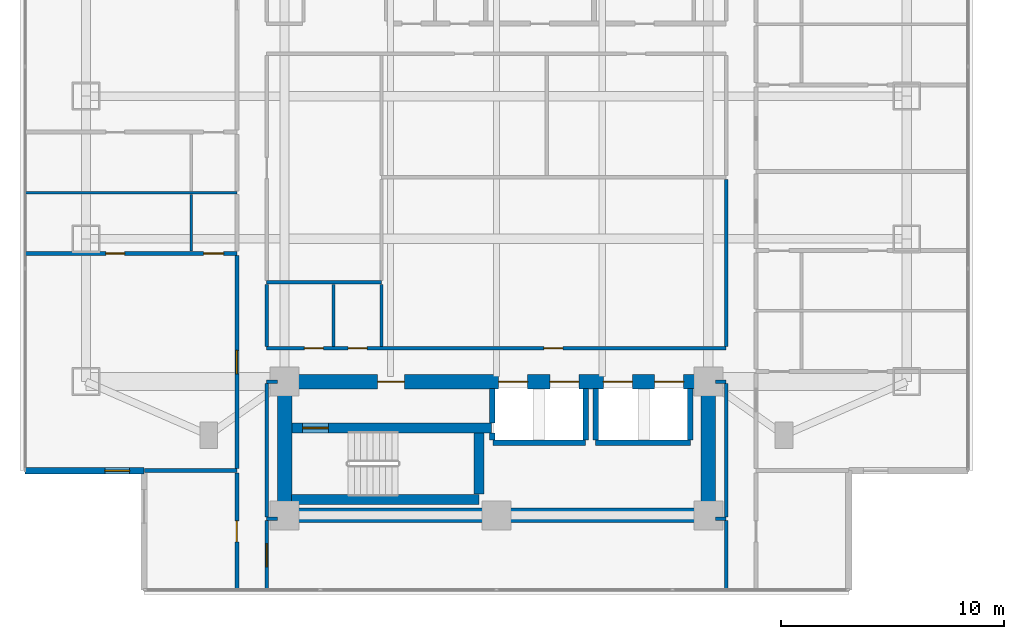
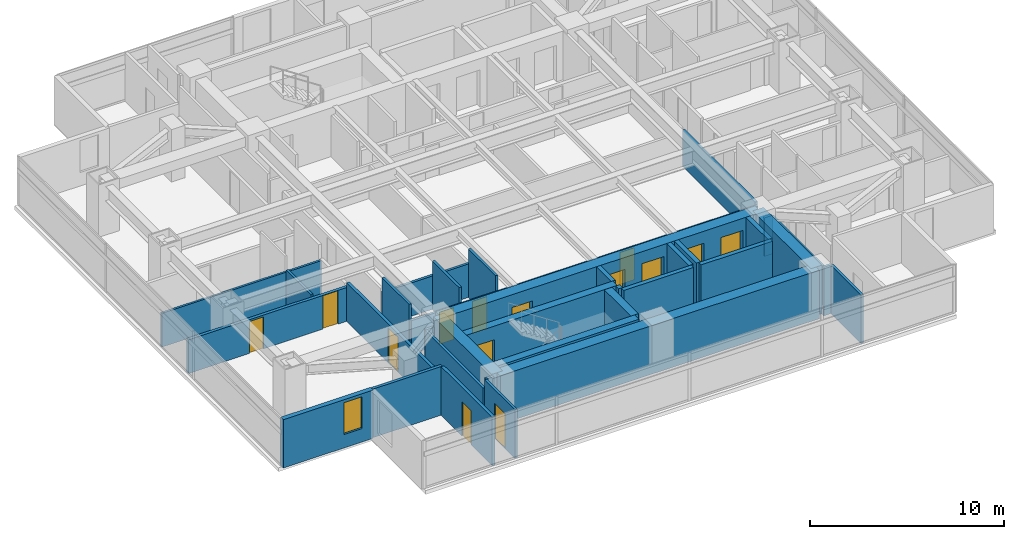
# One storey, part 13 of 25: 35 walls, 14 doors, 1 window, 15 openings.
"""IFC4 building model written with IfcOpenShell, lengths in metres."""

from ifc_helpers import new_model, si_unit, direction, frame, frame_2d, origin, place, context, subcontext, project, spatial, rectangle, extrude, material, layer, layer_set, type_object, element, fill, save


model = new_model("IFC4")

# Units and contexts
model_context = context("Model", 3, precision=1e-05, world=origin(), true_north=direction((0.0, 1.0)))
body_context = subcontext(model_context, "Body", "Model", "MODEL_VIEW")
ifc_project = project(units=[si_unit("LENGTHUNIT", "METRE"), si_unit("AREAUNIT", "SQUARE_METRE"), si_unit("VOLUMEUNIT", "CUBIC_METRE"), si_unit("PLANEANGLEUNIT", "RADIAN"), si_unit("MASSUNIT", "GRAM", prefix="KILO")], contexts=[model_context])

# Site, building, storey
site_placement = place(None, origin())
site = spatial("IfcSite", under=ifc_project, at=site_placement, CompositionType="ELEMENT")
building_placement = place(site_placement, origin())
building = spatial("IfcBuilding", under=site, at=building_placement, Name="Mirazonda Arch Towers", CompositionType="ELEMENT")
storey_placement = place(building_placement, frame((0.0, 0.0, 58.699951171875)))
storey = spatial("IfcBuildingStorey", under=building, at=storey_placement, Name="L16", CompositionType="ELEMENT", Elevation=58.699951171875)

# Wall
ifc_material_1 = material(Name="Concrete C50/60", Category="concrete")
ifc_layer_1 = layer(ifc_material_1, 0.449951171875, Name="WALL-CORE-450")
ifc_layer_set_1 = layer_set([ifc_layer_1], Name="Concrete C50/60")
wall_type_1 = type_object("IfcWallType", Name="WALL-CORE-450", PredefinedType="SHEAR", material=ifc_layer_set_1)
wall_1_placement = place(storey_placement, frame((11.320068359375, 13.1201171875, 0.0), z_axis=(0.0, 0.0, 1.0), x_axis=(1.0, 0.0, 0.0)))
element("IfcWall", 1, at=wall_1_placement, inside=storey, type_object=wall_type_1, Name="L16 Stair Core Shear Wall 003", PredefinedType="SHEAR", context=body_context, shape_type="SweptSolid", body=[
    extrude(rectangle(XDim=8.409912109375, YDim=0.449951171875, at=frame_2d((4.205078125, 0.0))), origin(), (0.0, 0.0, 1.0), 3.06005859375),
])

# Wall, opening, door
wall_2_placement = place(storey_placement, frame((11.320068359375, 16.320068359375, 0.0), z_axis=(0.0, 0.0, 1.0), x_axis=(1.0, 0.0, 0.0)))
wall_2 = element("IfcWall", 2, at=wall_2_placement, inside=storey, type_object=wall_type_1, Name="L16 Stair Core Shear Wall 008", PredefinedType="SHEAR", context=body_context, shape_type="SweptSolid", body=[
    extrude(rectangle(XDim=8.9599609375, YDim=0.449951171875, at=frame_2d((4.47998046875, 0.0))), origin(), (0.0, 0.0, 1.0), 3.06005859375),
])
opening_1_placement = place(wall_2_placement, frame((0.4951171875, 0.0, 0.0)))
opening_1 = element("IfcOpeningElement", 3, at=opening_1_placement, cuts=wall_2, Name="Opening DR-135", PredefinedType="OPENING", context=body_context, shape_type="SweptSolid", body=[
    extrude(rectangle(XDim=1.14990234375, YDim=2.199951171875, at=frame_2d((0.574951171875, 1.10009765625))), frame((0.0, 0.23486328125, 0.0), z_axis=(0.0, -1.0, 0.0), x_axis=(1.0, 0.0, 0.0)), (0.0, 0.0, 1.0), 0.469970703125),
])
ifc_material_2 = material(Name="Architectural Brushed Steel S355", Category="steel")
door_type_1 = type_object("IfcDoorType", Name="DOOR-STAIR-FD90-1150", OperationType="NOTDEFINED", PredefinedType="DOOR", material=ifc_material_2)
door_1_placement = place(opening_1_placement, origin())
door_1 = element("IfcDoor", 4, at=door_1_placement, inside=storey, type_object=door_type_1, Name="L16 Protected Exit Stair South Door", OperationType="SINGLE_SWING_RIGHT", OverallHeight=2.199951171875, OverallWidth=1.14990234375, PredefinedType="DOOR", context=body_context, shape_type="SweptSolid", body=[
    extrude(rectangle(XDim=1.14990234375, YDim=2.199951171875, at=frame_2d((0.574951171875, 1.10009765625))), frame((0.0, 0.02490234375, 0.0), z_axis=(0.0, -1.0, 0.0), x_axis=(1.0, 0.0, 0.0)), (0.0, 0.0, 1.0), 0.050048828125),
])
fill(opening_1, door_1)

# Walls
wall_3_placement = place(storey_placement, frame((19.72998046875, 13.35498046875, 0.0), z_axis=(0.0, 0.0, 1.0), x_axis=(0.0, 1.0, 0.0)))
element("IfcWall", 5, at=wall_3_placement, inside=storey, type_object=wall_type_1, Name="L16 Stair Core Shear Wall 083", PredefinedType="SHEAR", context=body_context, shape_type="SweptSolid", body=[
    extrude(rectangle(XDim=2.72998046875, YDim=0.449951171875, at=frame_2d((1.364990234375, 0.0))), origin(), (0.0, 0.0, 1.0), 3.06005859375),
])
ifc_material_3 = material(Name="Concrete C60/75", Category="concrete")
ifc_layer_2 = layer(ifc_material_3, 0.64990234375, Name="WALL-CORE-650")
ifc_layer_set_2 = layer_set([ifc_layer_2], Name="Concrete C60/75")
wall_type_2 = type_object("IfcWallType", Name="WALL-CORE-650", PredefinedType="SHEAR", material=ifc_layer_set_2)
wall_4_placement = place(storey_placement, frame((11.0, 12.39990234375, 0.0), z_axis=(0.0, 0.0, 1.0), x_axis=(1.0, 0.0, 0.0)))
element("IfcWall", 6, at=wall_4_placement, inside=storey, type_object=wall_type_2, Name="L16 T1S-S Core Shear Wall", PredefinedType="SHEAR", context=body_context, shape_type="SweptSolid", body=[
    extrude(rectangle(XDim=19.0, YDim=0.64990234375, at=frame_2d((9.5, 0.0))), origin(), (0.0, 0.0, 1.0), 3.06005859375),
])
for number, where, z_axis, x_axis, name in (
    (7, (11.0, 12.39990234375, 0.0), (0.0, 0.0, 1.0), (0.0, 1.0, 0.0), "L16 T1S-W Core Shear Wall"),
    (8, (30.0, 12.39990234375, 0.0), (0.0, 0.0, 1.0), (0.0, 1.0, 0.0), "L16 T1S-E Core Shear Wall"),
):
    element("IfcWall", number, at=place(storey_placement, frame(where, z_axis=z_axis, x_axis=x_axis)), inside=storey, type_object=wall_type_2, Name=name, PredefinedType="SHEAR", context=body_context, shape_type="SweptSolid", body=[
        extrude(rectangle(XDim=6.0, YDim=0.64990234375, at=frame_2d((3.0, 0.0))), origin(), (0.0, 0.0, 1.0), 3.06005859375),
    ])

# Wall, openings, doors
wall_5_placement = place(storey_placement, frame((11.0, 18.39990234375, 0.0), z_axis=(0.0, 0.0, 1.0), x_axis=(1.0, 0.0, 0.0)))
wall_5 = element("IfcWall", 9, at=wall_5_placement, inside=storey, type_object=wall_type_2, Name="L16 T1S-N Core Shear Wall", PredefinedType="SHEAR", context=body_context, shape_type="SweptSolid", body=[
    extrude(rectangle(XDim=19.0, YDim=0.64990234375, at=frame_2d((9.5, 0.0))), origin(), (0.0, 0.0, 1.0), 3.06005859375),
])
opening_2_placement = place(wall_5_placement, frame((4.175048828125, 0.0, 0.0)))
opening_2 = element("IfcOpeningElement", 10, at=opening_2_placement, cuts=wall_5, Name="Opening DR-117", PredefinedType="OPENING", context=body_context, shape_type="SweptSolid", body=[
    extrude(rectangle(XDim=1.199951171875, YDim=2.25, at=frame_2d((0.60009765625, 1.125))), frame((0.0, 0.3349609375, 0.0), z_axis=(0.0, -1.0, 0.0), x_axis=(1.0, 0.0, 0.0)), (0.0, 0.0, 1.0), 0.669921875),
])
opening_3_placement = place(wall_5_placement, frame((9.60009765625, 0.0, 0.0)))
opening_3 = element("IfcOpeningElement", 11, at=opening_3_placement, cuts=wall_5, Name="Opening LD-111", PredefinedType="OPENING", context=body_context, shape_type="SweptSolid", body=[
    extrude(rectangle(XDim=1.300048828125, YDim=2.300048828125, at=frame_2d((0.64990234375, 1.14990234375))), frame((0.0, 0.3349609375, 0.0), z_axis=(0.0, -1.0, 0.0), x_axis=(1.0, 0.0, 0.0)), (0.0, 0.0, 1.0), 0.669921875),
])
opening_4_placement = place(wall_5_placement, frame((11.89990234375, 0.0, 0.0)))
opening_4 = element("IfcOpeningElement", 12, at=opening_4_placement, cuts=wall_5, Name="Opening LD-111", PredefinedType="OPENING", context=body_context, shape_type="SweptSolid", body=[
    extrude(rectangle(XDim=1.300048828125, YDim=2.300048828125, at=frame_2d((0.64990234375, 1.14990234375))), frame((0.0, 0.3349609375, 0.0), z_axis=(0.0, -1.0, 0.0), x_axis=(1.0, 0.0, 0.0)), (0.0, 0.0, 1.0), 0.669921875),
])
opening_5_placement = place(wall_5_placement, frame((14.300048828125, 0.0, 0.0)))
opening_5 = element("IfcOpeningElement", 13, at=opening_5_placement, cuts=wall_5, Name="Opening LD-111", PredefinedType="OPENING", context=body_context, shape_type="SweptSolid", body=[
    extrude(rectangle(XDim=1.300048828125, YDim=2.300048828125, at=frame_2d((0.64990234375, 1.14990234375))), frame((0.0, 0.3349609375, 0.0), z_axis=(0.0, -1.0, 0.0), x_axis=(1.0, 0.0, 0.0)), (0.0, 0.0, 1.0), 0.669921875),
])
opening_6_placement = place(wall_5_placement, frame((16.60009765625, 0.0, 0.0)))
opening_6 = element("IfcOpeningElement", 14, at=opening_6_placement, cuts=wall_5, Name="Opening LD-111", PredefinedType="OPENING", context=body_context, shape_type="SweptSolid", body=[
    extrude(rectangle(XDim=1.300048828125, YDim=2.300048828125, at=frame_2d((0.64990234375, 1.14990234375))), frame((0.0, 0.3349609375, 0.0), z_axis=(0.0, -1.0, 0.0), x_axis=(1.0, 0.0, 0.0)), (0.0, 0.0, 1.0), 0.669921875),
])
door_type_2 = type_object("IfcDoorType", Name="DOOR-FFL-FD90-1200", OperationType="NOTDEFINED", PredefinedType="DOOR", material=ifc_material_2)
door_2_placement = place(opening_2_placement, origin())
door_2 = element("IfcDoor", 15, at=door_2_placement, inside=storey, type_object=door_type_2, Name="L16 South Core Stair & Lift Lobby Door", OperationType="SINGLE_SWING_LEFT", OverallHeight=2.25, OverallWidth=1.199951171875, PredefinedType="DOOR", context=body_context, shape_type="SweptSolid", body=[
    extrude(rectangle(XDim=1.199951171875, YDim=2.25, at=frame_2d((0.60009765625, 1.125))), frame((0.0, 0.02490234375, 0.0), z_axis=(0.0, -1.0, 0.0), x_axis=(1.0, 0.0, 0.0)), (0.0, 0.0, 1.0), 0.050048828125),
])
fill(opening_2, door_2)
door_type_3 = type_object("IfcDoorType", Name="DOOR-LIFT-LAND-1300", OperationType="NOTDEFINED", PredefinedType="DOOR", material=ifc_material_2)
door_3_placement = place(opening_3_placement, origin())
door_3 = element("IfcDoor", 16, at=door_3_placement, inside=storey, type_object=door_type_3, Name="L16 Lift Landing Sliding Door PL-T1M1", OperationType="DOUBLE_DOOR_SLIDING", OverallHeight=2.300048828125, OverallWidth=1.300048828125, PredefinedType="DOOR", context=body_context, shape_type="SweptSolid", body=[
    extrude(rectangle(XDim=1.300048828125, YDim=2.300048828125, at=frame_2d((0.64990234375, 1.14990234375))), frame((0.0, 0.02490234375, 0.0), z_axis=(0.0, -1.0, 0.0), x_axis=(1.0, 0.0, 0.0)), (0.0, 0.0, 1.0), 0.050048828125),
])
fill(opening_3, door_3)
door_4_placement = place(opening_4_placement, origin())
door_4 = element("IfcDoor", 17, at=door_4_placement, inside=storey, type_object=door_type_3, Name="L16 Lift Landing Sliding Door PL-T1M2", OperationType="DOUBLE_DOOR_SLIDING", OverallHeight=2.300048828125, OverallWidth=1.300048828125, PredefinedType="DOOR", context=body_context, shape_type="SweptSolid", body=[
    extrude(rectangle(XDim=1.300048828125, YDim=2.300048828125, at=frame_2d((0.64990234375, 1.14990234375))), frame((0.0, 0.02490234375, 0.0), z_axis=(0.0, -1.0, 0.0), x_axis=(1.0, 0.0, 0.0)), (0.0, 0.0, 1.0), 0.050048828125),
])
fill(opening_4, door_4)
door_5_placement = place(opening_5_placement, origin())
door_5 = element("IfcDoor", 18, at=door_5_placement, inside=storey, type_object=door_type_3, Name="L16 Lift Landing Sliding Door PL-T1H1", OperationType="DOUBLE_DOOR_SLIDING", OverallHeight=2.300048828125, OverallWidth=1.300048828125, PredefinedType="DOOR", context=body_context, shape_type="SweptSolid", body=[
    extrude(rectangle(XDim=1.300048828125, YDim=2.300048828125, at=frame_2d((0.64990234375, 1.14990234375))), frame((0.0, 0.02490234375, 0.0), z_axis=(0.0, -1.0, 0.0), x_axis=(1.0, 0.0, 0.0)), (0.0, 0.0, 1.0), 0.050048828125),
])
fill(opening_5, door_5)
door_6_placement = place(opening_6_placement, origin())
door_6 = element("IfcDoor", 19, at=door_6_placement, inside=storey, type_object=door_type_3, Name="L16 Lift Landing Sliding Door PL-T1H2", OperationType="DOUBLE_DOOR_SLIDING", OverallHeight=2.300048828125, OverallWidth=1.300048828125, PredefinedType="DOOR", context=body_context, shape_type="SweptSolid", body=[
    extrude(rectangle(XDim=1.300048828125, YDim=2.300048828125, at=frame_2d((0.64990234375, 1.14990234375))), frame((0.0, 0.02490234375, 0.0), z_axis=(0.0, -1.0, 0.0), x_axis=(1.0, 0.0, 0.0)), (0.0, 0.0, 1.0), 0.050048828125),
])
fill(opening_6, door_6)

# Wall, opening, window
ifc_material_4 = material(Name="Precast Concrete C40/50", Category="concrete")
ifc_layer_3 = layer(ifc_material_4, 0.280029296875, Name="WALL-EXT-WALL-280")
ifc_layer_set_3 = layer_set([ifc_layer_3], Name="Precast Concrete C40/50")
wall_type_3 = type_object("IfcWallType", Name="WALL-EXT-WALL-280", PredefinedType="SOLIDWALL", material=ifc_layer_set_3)
wall_6_placement = place(storey_placement, frame((-0.639892578125, 14.404052734375, 0.0), z_axis=(0.0, 0.0, 1.0), x_axis=(1.0, 0.0, 0.0)))
wall_6 = element("IfcWall", 20, at=wall_6_placement, inside=storey, type_object=wall_type_3, Name="L16 T1 Corner Notch Return Wall WL-L16-T1-CSW2", PredefinedType="SOLIDWALL", context=body_context, shape_type="SweptSolid", body=[
    extrude(rectangle(XDim=5.33984375, YDim=0.280029296875, at=frame_2d((2.669921875, 0.0))), origin(), (0.0, 0.0, 1.0), 3.0400390625),
])
opening_7_placement = place(wall_6_placement, frame((3.590087890625, 0.0, 0.85009765625)))
opening_7 = element("IfcOpeningElement", 21, at=opening_7_placement, cuts=wall_6, Name="Opening WN-108", PredefinedType="OPENING", context=body_context, shape_type="SweptSolid", body=[
    extrude(rectangle(XDim=1.10009765625, YDim=2.0, at=frame_2d((0.550048828125, 1.0))), frame((0.0, 0.14990234375, 0.0), z_axis=(0.0, -1.0, 0.0), x_axis=(1.0, 0.0, 0.0)), (0.0, 0.0, 1.0), 0.300048828125),
])
ifc_material_5 = material(Name="Insulated Low-E Solar Glass", Category="glass")
window_type = type_object("IfcWindowType", Name="WIN-NOTCH-1100x2000", PartitioningType="SINGLE_PANEL", PredefinedType="WINDOW", material=ifc_material_5)
window_placement = place(opening_7_placement, origin())
window = element("IfcWindow", 22, at=window_placement, inside=storey, type_object=window_type, Name="L16 Punched Facade Window WN-L16-T1-CSW2", OverallHeight=2.0, OverallWidth=1.10009765625, PartitioningType="SINGLE_PANEL", PredefinedType="WINDOW", context=body_context, shape_type="SweptSolid", body=[
    extrude(rectangle(XDim=1.10009765625, YDim=2.0, at=frame_2d((0.550048828125, 1.0))), frame((0.0, 0.030029296875, 0.0), z_axis=(0.0, -1.0, 0.0), x_axis=(1.0, 0.0, 0.0)), (0.0, 0.0, 1.0), 0.06005859375),
])
fill(opening_7, window)

# Walls
ifc_material_6 = material(Name="Fire-Rated Gypsum Stud Partition")
ifc_layer_4 = layer(ifc_material_6, 0.14990234375, Name="WALL-PART-CORR-150")
ifc_layer_set_4 = layer_set([ifc_layer_4], Name="Fire-Rated Gypsum Stud Partition")
wall_type_4 = type_object("IfcWallType", Name="WALL-PART-CORR-150", PredefinedType="PARTITIONING", material=ifc_layer_set_4)
for number, where, z_axis, x_axis, name in (
    (23, (10.199951171875, 12.25, 0.0), (0.0, 0.0, 1.0), (1.0, 0.0, 0.0), "L16 Interior Partition 001"),
    (24, (30.320068359375, 12.25, 0.0), (0.0, 0.0, 1.0), (1.0, 0.0, 0.0), "L16 Interior Partition 002"),
):
    element("IfcWall", number, at=place(storey_placement, frame(where, z_axis=z_axis, x_axis=x_axis)), inside=storey, type_object=wall_type_4, Name=name, PredefinedType="PARTITIONING", context=body_context, shape_type="SweptSolid", body=[
        extrude(rectangle(XDim=0.47998046875, YDim=0.14990234375, at=frame_2d((0.239990234375, 0.0))), origin(), (0.0, 0.0, 1.0), 3.06005859375),
    ])
for number, where, z_axis, x_axis, name in (
    (25, (10.199951171875, 18.39990234375, 0.0), (0.0, 0.0, 1.0), (1.0, 0.0, 0.0), "L16 Interior Partition 012"),
    (26, (30.320068359375, 18.39990234375, 0.0), (0.0, 0.0, 1.0), (1.0, 0.0, 0.0), "L16 Interior Partition 013"),
):
    element("IfcWall", number, at=place(storey_placement, frame(where, z_axis=z_axis, x_axis=x_axis)), inside=storey, type_object=wall_type_4, Name=name, PredefinedType="PARTITIONING", context=body_context, shape_type="SweptSolid", body=[
        extrude(rectangle(XDim=0.47998046875, YDim=0.14990234375, at=frame_2d((0.239990234375, 0.0))), origin(), (0.0, 0.0, 1.0), 2.43603515625),
    ])

# Wall, openings, doors
wall_7_placement = place(storey_placement, frame((10.199951171875, 19.89990234375, 0.0), z_axis=(0.0, 0.0, 1.0), x_axis=(1.0, 0.0, 0.0)))
wall_7 = element("IfcWall", 27, at=wall_7_placement, inside=storey, type_object=wall_type_4, Name="L16 Interior Partition 016", PredefinedType="PARTITIONING", context=body_context, shape_type="SweptSolid", body=[
    extrude(rectangle(XDim=20.60009765625, YDim=0.14990234375, at=frame_2d((10.300048828125, 0.0))), origin(), (0.0, 0.0, 1.0), 2.10400390625),
])
opening_8_placement = place(wall_7_placement, frame((1.695068359375, 0.0, 0.0)))
opening_8 = element("IfcOpeningElement", 28, at=opening_8_placement, cuts=wall_7, Name="Opening DR-128", PredefinedType="OPENING", context=body_context, shape_type="SweptSolid", body=[
    extrude(rectangle(XDim=0.85009765625, YDim=2.010009765625, at=frame_2d((0.425048828125, 1.0048828125))), frame((0.0, 0.0849609375, 0.0), z_axis=(0.0, -1.0, 0.0), x_axis=(1.0, 0.0, 0.0)), (0.0, 0.0, 1.0), 0.169921875),
])
opening_9_placement = place(wall_7_placement, frame((3.64990234375, 0.0, 0.0)))
opening_9 = element("IfcOpeningElement", 29, at=opening_9_placement, cuts=wall_7, Name="Opening DR-128", PredefinedType="OPENING", context=body_context, shape_type="SweptSolid", body=[
    extrude(rectangle(XDim=0.85009765625, YDim=2.010009765625, at=frame_2d((0.425048828125, 1.0048828125))), frame((0.0, 0.0849609375, 0.0), z_axis=(0.0, -1.0, 0.0), x_axis=(1.0, 0.0, 0.0)), (0.0, 0.0, 1.0), 0.169921875),
])
opening_10_placement = place(wall_7_placement, frame((12.429931640625, 0.0, 0.0)))
opening_10 = element("IfcOpeningElement", 30, at=opening_10_placement, cuts=wall_7, Name="Opening DR-128", PredefinedType="OPENING", context=body_context, shape_type="SweptSolid", body=[
    extrude(rectangle(XDim=0.85009765625, YDim=2.010009765625, at=frame_2d((0.425048828125, 1.0048828125))), frame((0.0, 0.0849609375, 0.0), z_axis=(0.0, -1.0, 0.0), x_axis=(1.0, 0.0, 0.0)), (0.0, 0.0, 1.0), 0.169921875),
])
door_type_4 = type_object("IfcDoorType", Name="DOOR-RISER-FD60-850", OperationType="NOTDEFINED", PredefinedType="DOOR", material=ifc_material_2)
door_7_placement = place(opening_8_placement, origin())
door_7 = element("IfcDoor", 31, at=door_7_placement, inside=storey, type_object=door_type_4, Name="L16 Common Accessible WC Door", OperationType="SINGLE_SWING_LEFT", OverallHeight=2.010009765625, OverallWidth=0.85009765625, PredefinedType="DOOR", context=body_context, shape_type="SweptSolid", body=[
    extrude(rectangle(XDim=0.85009765625, YDim=2.010009765625, at=frame_2d((0.425048828125, 1.0048828125))), frame((0.0, 0.02490234375, 0.0), z_axis=(0.0, -1.0, 0.0), x_axis=(1.0, 0.0, 0.0)), (0.0, 0.0, 1.0), 0.050048828125),
])
fill(opening_8, door_7)
door_8_placement = place(opening_9_placement, origin())
door_8 = element("IfcDoor", 32, at=door_8_placement, inside=storey, type_object=door_type_4, Name="L16 L16 West Courtyard Study Door", OperationType="SINGLE_SWING_RIGHT", OverallHeight=2.010009765625, OverallWidth=0.85009765625, PredefinedType="DOOR", context=body_context, shape_type="SweptSolid", body=[
    extrude(rectangle(XDim=0.85009765625, YDim=2.010009765625, at=frame_2d((0.425048828125, 1.0048828125))), frame((0.0, 0.02490234375, 0.0), z_axis=(0.0, -1.0, 0.0), x_axis=(1.0, 0.0, 0.0)), (0.0, 0.0, 1.0), 0.050048828125),
])
fill(opening_9, door_8)
door_9_placement = place(opening_10_placement, origin())
door_9 = element("IfcDoor", 33, at=door_9_placement, inside=storey, type_object=door_type_4, Name="L16 Executive Club Lounge Door", OperationType="SINGLE_SWING_RIGHT", OverallHeight=2.010009765625, OverallWidth=0.85009765625, PredefinedType="DOOR", context=body_context, shape_type="SweptSolid", body=[
    extrude(rectangle(XDim=0.85009765625, YDim=2.010009765625, at=frame_2d((0.425048828125, 1.0048828125))), frame((0.0, 0.02490234375, 0.0), z_axis=(0.0, -1.0, 0.0), x_axis=(1.0, 0.0, 0.0)), (0.0, 0.0, 1.0), 0.050048828125),
])
fill(opening_10, door_9)

# Wall
wall_8_placement = place(storey_placement, frame((10.199951171875, 22.85009765625, 0.0), z_axis=(0.0, 0.0, 1.0), x_axis=(1.0, 0.0, 0.0)))
element("IfcWall", 34, at=wall_8_placement, inside=storey, type_object=wall_type_4, Name="L16 Interior Partition 023", PredefinedType="PARTITIONING", context=body_context, shape_type="SweptSolid", body=[
    extrude(rectangle(XDim=5.150146484375, YDim=0.14990234375, at=frame_2d((2.5751953125, 0.0))), origin(), (0.0, 0.0, 1.0), 2.10400390625),
])

# Wall, opening, door
wall_9_placement = place(storey_placement, frame((10.199951171875, 9.06396484375, 0.0), z_axis=(0.0, 0.0, 1.0), x_axis=(0.0, 1.0, 0.0)))
wall_9 = element("IfcWall", 35, at=wall_9_placement, inside=storey, type_object=wall_type_4, Name="L16 Interior Partition 069", PredefinedType="PARTITIONING", context=body_context, shape_type="SweptSolid", body=[
    extrude(rectangle(XDim=3.10107421875, YDim=0.14990234375, at=frame_2d((1.550537109375, 0.0))), origin(), (0.0, 0.0, 1.0), 3.06005859375),
])
opening_11_placement = place(wall_9_placement, frame((1.025390625, 0.0, 0.0)))
opening_11 = element("IfcOpeningElement", 36, at=opening_11_placement, cuts=wall_9, Name="Opening DR-121", PredefinedType="OPENING", context=body_context, shape_type="SweptSolid", body=[
    extrude(rectangle(XDim=1.050048828125, YDim=2.199951171875, at=frame_2d((0.52490234375, 1.10009765625))), frame((0.0, 0.0849609375, 0.0), z_axis=(0.0, -1.0, 0.0), x_axis=(1.0, 0.0, 0.0)), (0.0, 0.0, 1.0), 0.169921875),
])
door_type_5 = type_object("IfcDoorType", Name="DOOR-SUITE-FD60-1050", OperationType="NOTDEFINED", PredefinedType="DOOR", material=ifc_material_2)
door_10_placement = place(opening_11_placement, origin())
door_10 = element("IfcDoor", 37, at=door_10_placement, inside=storey, type_object=door_type_5, Name="L16 South Horizon Lounge Gallery Door", OperationType="SINGLE_SWING_LEFT", OverallHeight=2.199951171875, OverallWidth=1.050048828125, PredefinedType="DOOR", context=body_context, shape_type="SweptSolid", body=[
    extrude(rectangle(XDim=1.050048828125, YDim=2.199951171875, at=frame_2d((0.52490234375, 1.10009765625))), frame((0.0, 0.02490234375, 0.0), z_axis=(0.0, -1.0, 0.0), x_axis=(1.0, 0.0, 0.0)), (0.0, 0.0, 1.0), 0.050048828125),
])
fill(opening_11, door_10)

# Walls
wall_10_placement = place(storey_placement, frame((10.199951171875, 12.3349609375, 0.0), z_axis=(0.0, 0.0, 1.0), x_axis=(0.0, 1.0, 0.0)))
element("IfcWall", 38, at=wall_10_placement, inside=storey, type_object=wall_type_4, Name="L16 Interior Partition 070", PredefinedType="PARTITIONING", context=body_context, shape_type="SweptSolid", body=[
    extrude(rectangle(XDim=5.97998046875, YDim=0.14990234375, at=frame_2d((2.989990234375, 0.0))), origin(), (0.0, 0.0, 1.0), 2.43603515625),
])
for number, where, z_axis, x_axis, name in (
    (39, (10.206787109375, 19.985107421875, 0.0), (0.0, 0.0, 1.0), (0.0, 1.0, 0.0), "L16 Interior Partition 071"),
    (40, (13.199951171875, 19.985107421875, 0.0), (0.0, 0.0, 1.0), (0.0, 1.0, 0.0), "L16 Interior Partition 076"),
    (41, (15.35009765625, 19.985107421875, 0.0), (0.0, 0.0, 1.0), (0.0, 1.0, 0.0), "L16 Interior Partition 077"),
):
    element("IfcWall", number, at=place(storey_placement, frame(where, z_axis=z_axis, x_axis=x_axis)), inside=storey, type_object=wall_type_4, Name=name, PredefinedType="PARTITIONING", context=body_context, shape_type="SweptSolid", body=[
        extrude(rectangle(XDim=2.77978515625, YDim=0.14990234375, at=frame_2d((1.389892578125, 0.0))), origin(), (0.0, 0.0, 1.0), 3.06005859375),
    ])
wall_11_placement = place(storey_placement, frame((30.800048828125, 9.06396484375, 0.0), z_axis=(0.0, 0.0, 1.0), x_axis=(0.0, 1.0, 0.0)))
element("IfcWall", 42, at=wall_11_placement, inside=storey, type_object=wall_type_4, Name="L16 Interior Partition 097", PredefinedType="PARTITIONING", context=body_context, shape_type="SweptSolid", body=[
    extrude(rectangle(XDim=3.10107421875, YDim=0.14990234375, at=frame_2d((1.550537109375, 0.0))), origin(), (0.0, 0.0, 1.0), 3.06005859375),
])
wall_12_placement = place(storey_placement, frame((30.800048828125, 12.3349609375, 0.0), z_axis=(0.0, 0.0, 1.0), x_axis=(0.0, 1.0, 0.0)))
element("IfcWall", 43, at=wall_12_placement, inside=storey, type_object=wall_type_4, Name="L16 Interior Partition 098", PredefinedType="PARTITIONING", context=body_context, shape_type="SweptSolid", body=[
    extrude(rectangle(XDim=5.97998046875, YDim=0.14990234375, at=frame_2d((2.989990234375, 0.0))), origin(), (0.0, 0.0, 1.0), 2.43603515625),
])
wall_13_placement = place(storey_placement, frame((30.800048828125, 19.985107421875, 0.0), z_axis=(0.0, 0.0, 1.0), x_axis=(0.0, 1.0, 0.0)))
element("IfcWall", 44, at=wall_13_placement, inside=storey, type_object=wall_type_4, Name="L16 Interior Partition 099", PredefinedType="PARTITIONING", context=body_context, shape_type="SweptSolid", body=[
    extrude(rectangle(XDim=7.48583984375, YDim=0.14990234375, at=frame_2d((3.742919921875, 0.0))), origin(), (0.0, 0.0, 1.0), 2.279052734375),
])
ifc_material_7 = material(Name="Fire-Rated Gypsum Twin-Stud Assembly")
ifc_layer_5 = layer(ifc_material_7, 0.179931640625, Name="WALL-PART-DEMISE-180")
ifc_layer_set_5 = layer_set([ifc_layer_5], Name="Fire-Rated Gypsum Twin-Stud Assembly")
wall_type_5 = type_object("IfcWallType", Name="WALL-PART-DEMISE-180", PredefinedType="PARTITIONING", material=ifc_layer_set_5)
wall_14_placement = place(storey_placement, frame((4.719970703125, 14.404052734375, 0.0), z_axis=(0.0, 0.0, 1.0), x_axis=(1.0, 0.0, 0.0)))
element("IfcWall", 45, at=wall_14_placement, inside=storey, type_object=wall_type_5, Name="L16 Interior Partition 004", PredefinedType="PARTITIONING", context=body_context, shape_type="SweptSolid", body=[
    extrude(rectangle(XDim=4.14013671875, YDim=0.179931640625, at=frame_2d((2.070068359375, 0.0))), origin(), (0.0, 0.0, 1.0), 3.06005859375),
])

# Wall, openings, doors
wall_15_placement = place(storey_placement, frame((-0.639892578125, 24.14599609375, 0.0), z_axis=(0.0, 0.0, 1.0), x_axis=(1.0, 0.0, 0.0)))
wall_15 = element("IfcWall", 46, at=wall_15_placement, inside=storey, type_object=wall_type_5, Name="L16 Interior Partition 025", PredefinedType="PARTITIONING", context=body_context, shape_type="SweptSolid", body=[
    extrude(rectangle(XDim=9.5, YDim=0.179931640625, at=frame_2d((4.75, 0.0))), origin(), (0.0, 0.0, 1.0), 2.125),
])
opening_12_placement = place(wall_15_placement, frame((3.625, 0.0, 0.0)))
opening_12 = element("IfcOpeningElement", 47, at=opening_12_placement, cuts=wall_15, Name="Opening DR-128", PredefinedType="OPENING", context=body_context, shape_type="SweptSolid", body=[
    extrude(rectangle(XDim=0.85009765625, YDim=2.010009765625, at=frame_2d((0.425048828125, 1.0048828125))), frame((0.0, 0.099853515625, 0.0), z_axis=(0.0, -1.0, 0.0), x_axis=(1.0, 0.0, 0.0)), (0.0, 0.0, 1.0), 0.199951171875),
])
opening_13_placement = place(wall_15_placement, frame((8.010009765625, 0.0, 0.0)))
opening_13 = element("IfcOpeningElement", 48, at=opening_13_placement, cuts=wall_15, Name="Opening DR-120", PredefinedType="OPENING", context=body_context, shape_type="SweptSolid", body=[
    extrude(rectangle(XDim=0.89990234375, YDim=2.10009765625, at=frame_2d((0.449951171875, 1.050048828125))), frame((0.0, 0.099853515625, 0.0), z_axis=(0.0, -1.0, 0.0), x_axis=(1.0, 0.0, 0.0)), (0.0, 0.0, 1.0), 0.199951171875),
])
door_11_placement = place(opening_12_placement, origin())
door_11 = element("IfcDoor", 49, at=door_11_placement, inside=storey, type_object=door_type_4, Name="L16 Suite Bedroom 1 Door", OperationType="SINGLE_SWING_LEFT", OverallHeight=2.010009765625, OverallWidth=0.85009765625, PredefinedType="DOOR", context=body_context, shape_type="SweptSolid", body=[
    extrude(rectangle(XDim=0.85009765625, YDim=2.010009765625, at=frame_2d((0.425048828125, 1.0048828125))), frame((0.0, 0.02490234375, 0.0), z_axis=(0.0, -1.0, 0.0), x_axis=(1.0, 0.0, 0.0)), (0.0, 0.0, 1.0), 0.050048828125),
])
fill(opening_12, door_11)
door_type_6 = type_object("IfcDoorType", Name="DOOR-WC-900", OperationType="NOTDEFINED", PredefinedType="DOOR", material=ifc_material_2)
door_12_placement = place(opening_13_placement, origin())
door_12 = element("IfcDoor", 50, at=door_12_placement, inside=storey, type_object=door_type_6, Name="L16 Suite En-Suite Bathroom 1 Door", OperationType="SINGLE_SWING_RIGHT", OverallHeight=2.10009765625, OverallWidth=0.89990234375, PredefinedType="DOOR", context=body_context, shape_type="SweptSolid", body=[
    extrude(rectangle(XDim=0.89990234375, YDim=2.10009765625, at=frame_2d((0.449951171875, 1.050048828125))), frame((0.0, 0.02490234375, 0.0), z_axis=(0.0, -1.0, 0.0), x_axis=(1.0, 0.0, 0.0)), (0.0, 0.0, 1.0), 0.050048828125),
])
fill(opening_13, door_12)

# Wall, opening, door
wall_16_placement = place(storey_placement, frame((8.860107421875, 9.06396484375, 0.0), z_axis=(0.0, 0.0, 1.0), x_axis=(0.0, 1.0, 0.0)))
wall_16 = element("IfcWall", 51, at=wall_16_placement, inside=storey, type_object=wall_type_5, Name="L16 Interior Partition 063", PredefinedType="PARTITIONING", context=body_context, shape_type="SweptSolid", body=[
    extrude(rectangle(XDim=5.239990234375, YDim=0.179931640625, at=frame_2d((2.6201171875, 0.0))), origin(), (0.0, 0.0, 1.0), 3.06005859375),
])
opening_14_placement = place(wall_16_placement, frame((2.14501953125, 0.0, 0.0)))
opening_14 = element("IfcOpeningElement", 52, at=opening_14_placement, cuts=wall_16, Name="Opening DR-104", PredefinedType="OPENING", context=body_context, shape_type="SweptSolid", body=[
    extrude(rectangle(XDim=0.949951171875, YDim=2.14990234375, at=frame_2d((0.47509765625, 1.074951171875))), frame((0.0, 0.099853515625, 0.0), z_axis=(0.0, -1.0, 0.0), x_axis=(1.0, 0.0, 0.0)), (0.0, 0.0, 1.0), 0.199951171875),
])
door_type_7 = type_object("IfcDoorType", Name="DOOR-ROOM-950", OperationType="NOTDEFINED", PredefinedType="DOOR", material=ifc_material_2)
door_13_placement = place(opening_14_placement, origin())
door_13 = element("IfcDoor", 53, at=door_13_placement, inside=storey, type_object=door_type_7, Name="L16 South Horizon Lounge Alcove West Door", OperationType="SINGLE_SWING_RIGHT", OverallHeight=2.14990234375, OverallWidth=0.949951171875, PredefinedType="DOOR", context=body_context, shape_type="SweptSolid", body=[
    extrude(rectangle(XDim=0.949951171875, YDim=2.14990234375, at=frame_2d((0.47509765625, 1.074951171875))), frame((0.0, 0.02490234375, 0.0), z_axis=(0.0, -1.0, 0.0), x_axis=(1.0, 0.0, 0.0)), (0.0, 0.0, 1.0), 0.050048828125),
])
fill(opening_14, door_13)

wall_17_placement = place(storey_placement, frame((8.860107421875, 14.50390625, 0.0), z_axis=(0.0, 0.0, 1.0), x_axis=(0.0, 1.0, 0.0)))
wall_17 = element("IfcWall", 54, at=wall_17_placement, inside=storey, type_object=wall_type_5, Name="L16 Interior Partition 064", PredefinedType="PARTITIONING", context=body_context, shape_type="SweptSolid", body=[
    extrude(rectangle(XDim=9.5419921875, YDim=0.179931640625, at=frame_2d((4.77099609375, 0.0))), origin(), (0.0, 0.0, 1.0), 2.43603515625),
])
opening_15_placement = place(wall_17_placement, frame((4.24609375, 0.0, 0.0)))
opening_15 = element("IfcOpeningElement", 55, at=opening_15_placement, cuts=wall_17, Name="Opening DR-121", PredefinedType="OPENING", context=body_context, shape_type="SweptSolid", body=[
    extrude(rectangle(XDim=1.050048828125, YDim=2.199951171875, at=frame_2d((0.52490234375, 1.10009765625))), frame((0.0, 0.099853515625, 0.0), z_axis=(0.0, -1.0, 0.0), x_axis=(1.0, 0.0, 0.0)), (0.0, 0.0, 1.0), 0.199951171875),
])
door_14_placement = place(opening_15_placement, origin())
door_14 = element("IfcDoor", 56, at=door_14_placement, inside=storey, type_object=door_type_5, Name="L16 Presidential Hotel Suite 1 Door", OperationType="SINGLE_SWING_RIGHT", OverallHeight=2.199951171875, OverallWidth=1.050048828125, PredefinedType="DOOR", context=body_context, shape_type="SweptSolid", body=[
    extrude(rectangle(XDim=1.050048828125, YDim=2.199951171875, at=frame_2d((0.52490234375, 1.10009765625))), frame((0.0, 0.02490234375, 0.0), z_axis=(0.0, -1.0, 0.0), x_axis=(1.0, 0.0, 0.0)), (0.0, 0.0, 1.0), 0.050048828125),
])
fill(opening_15, door_14)

# Walls
ifc_material_8 = material(Name="Acoustic Fire-Rated Gypsum Partition")
ifc_layer_6 = layer(ifc_material_8, 0.125, Name="WALL-PART-UNIT-125")
ifc_layer_set_6 = layer_set([ifc_layer_6], Name="Acoustic Fire-Rated Gypsum Partition")
wall_type_6 = type_object("IfcWallType", Name="WALL-PART-UNIT-125", PredefinedType="PARTITIONING", material=ifc_layer_set_6)
wall_18_placement = place(storey_placement, frame((-0.639892578125, 26.865966796875, 0.0), z_axis=(0.0, 0.0, 1.0), x_axis=(1.0, 0.0, 0.0)))
element("IfcWall", 57, at=wall_18_placement, inside=storey, type_object=wall_type_6, Name="L16 Interior Partition 029", PredefinedType="PARTITIONING", context=body_context, shape_type="SweptSolid", body=[
    extrude(rectangle(XDim=9.5, YDim=0.125, at=frame_2d((4.75, 0.0))), origin(), (0.0, 0.0, 1.0), 2.125),
])
wall_19_placement = place(storey_placement, frame((6.820068359375, 24.24609375, 0.0), z_axis=(0.0, 0.0, 1.0), x_axis=(0.0, 1.0, 0.0)))
element("IfcWall", 58, at=wall_19_placement, inside=storey, type_object=wall_type_6, Name="L16 Interior Partition 061", PredefinedType="PARTITIONING", context=body_context, shape_type="SweptSolid", body=[
    extrude(rectangle(XDim=2.54736328125, YDim=0.125, at=frame_2d((1.273681640625, 0.0))), origin(), (0.0, 0.0, 1.0), 2.279052734375),
])
ifc_material_9 = material(Name="Concrete C40/50", Category="concrete")
ifc_layer_7 = layer(ifc_material_9, 0.25, Name="WALL-SHAFT-250")
ifc_layer_set_7 = layer_set([ifc_layer_7], Name="Concrete C40/50")
wall_type_7 = type_object("IfcWallType", Name="WALL-SHAFT-250", PredefinedType="SOLIDWALL", material=ifc_layer_set_7)
wall_20_placement = place(storey_placement, frame((20.35009765625, 15.64990234375, 0.0), z_axis=(0.0, 0.0, 1.0), x_axis=(1.0, 0.0, 0.0)))
element("IfcWall", 59, at=wall_20_placement, inside=storey, type_object=wall_type_7, Name="L16 Interior Partition 006", PredefinedType="SOLIDWALL", context=body_context, shape_type="SweptSolid", body=[
    extrude(rectangle(XDim=4.14990234375, YDim=0.25, at=frame_2d((2.074951171875, 0.0))), origin(), (0.0, 0.0, 1.0), 3.06005859375),
])
wall_21_placement = place(storey_placement, frame((24.949951171875, 15.64990234375, 0.0), z_axis=(0.0, 0.0, 1.0), x_axis=(1.0, 0.0, 0.0)))
element("IfcWall", 60, at=wall_21_placement, inside=storey, type_object=wall_type_7, Name="L16 Interior Partition 007", PredefinedType="SOLIDWALL", context=body_context, shape_type="SweptSolid", body=[
    extrude(rectangle(XDim=4.25, YDim=0.25, at=frame_2d((2.125, 0.0))), origin(), (0.0, 0.0, 1.0), 3.06005859375),
])
wall_22_placement = place(storey_placement, frame((20.31494140625, 15.784912109375, 0.0), z_axis=(0.0, 0.0, 1.0), x_axis=(0.0, 1.0, 0.0)))
element("IfcWall", 61, at=wall_22_placement, inside=storey, type_object=wall_type_7, Name="L16 Interior Partition 085", PredefinedType="SOLIDWALL", context=body_context, shape_type="SweptSolid", body=[
    extrude(rectangle(XDim=0.300048828125, YDim=0.25, at=frame_2d((0.14990234375, 0.0))), origin(), (0.0, 0.0, 1.0), 3.06005859375),
])
wall_23_placement = place(storey_placement, frame((20.31494140625, 16.554931640625, 0.0), z_axis=(0.0, 0.0, 1.0), x_axis=(0.0, 1.0, 0.0)))
element("IfcWall", 62, at=wall_23_placement, inside=storey, type_object=wall_type_7, Name="L16 Interior Partition 086", PredefinedType="SOLIDWALL", context=body_context, shape_type="SweptSolid", body=[
    extrude(rectangle(XDim=1.525146484375, YDim=0.25, at=frame_2d((0.7626953125, 0.0))), origin(), (0.0, 0.0, 1.0), 3.06005859375),
])
for number, where, z_axis, x_axis, name in (
    (63, (24.5, 15.784912109375, 0.0), (0.0, 0.0, 1.0), (0.0, 1.0, 0.0), "L16 Interior Partition 089"),
    (64, (24.949951171875, 15.784912109375, 0.0), (0.0, 0.0, 1.0), (0.0, 1.0, 0.0), "L16 Interior Partition 091"),
    (65, (29.199951171875, 15.784912109375, 0.0), (0.0, 0.0, 1.0), (0.0, 1.0, 0.0), "L16 Interior Partition 094"),
):
    element("IfcWall", number, at=place(storey_placement, frame(where, z_axis=z_axis, x_axis=x_axis)), inside=storey, type_object=wall_type_7, Name=name, PredefinedType="SOLIDWALL", context=body_context, shape_type="SweptSolid", body=[
        extrude(rectangle(XDim=2.295166015625, YDim=0.25, at=frame_2d((1.1474609375, 0.0))), origin(), (0.0, 0.0, 1.0), 3.06005859375),
    ])

save(model, "model.ifc")
